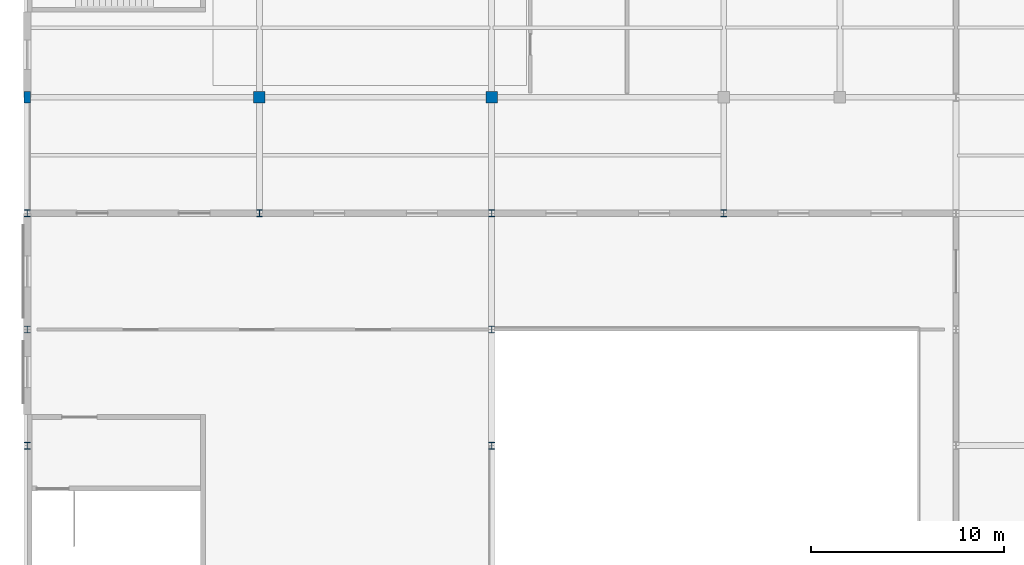
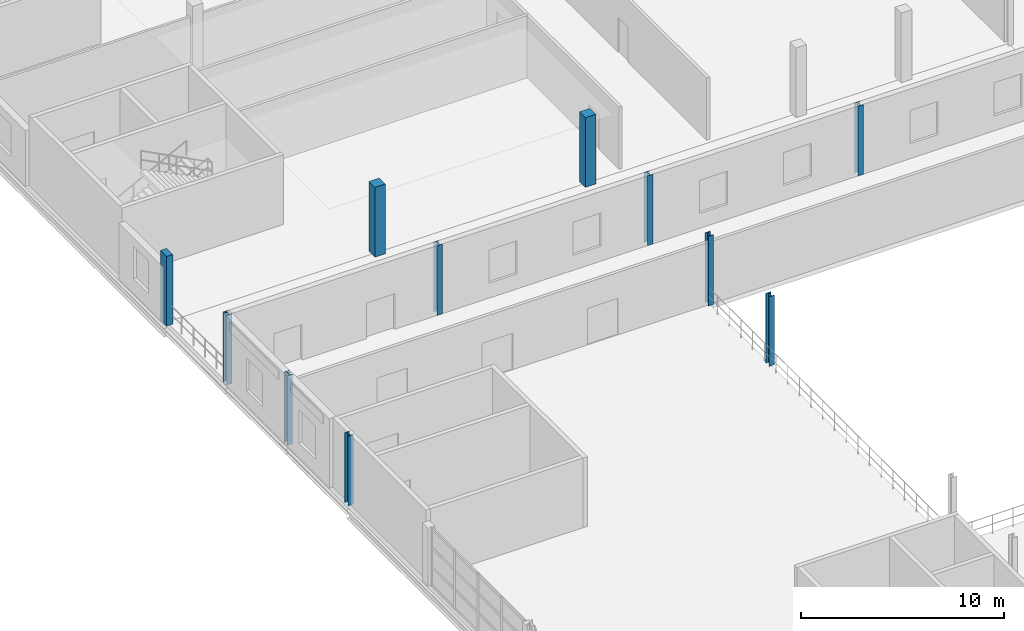
# One storey, part 8 of 147: 11 columns.
"""IFC4 building model written with IfcOpenShell, lengths in metres."""

import ifcopenshell
import ifcopenshell.guid

model = None  # the IFC model being written
_history = None  # IfcOwnerHistory: only IFC2X3 demands one
_inside = {}  # id of a spatial element -> (the spatial element, [elements in it])
_under = {}  # id of a project, library or spatial element -> (it, [spatial elements below it])
_declared = {}  # id of a project -> (the project, [libraries it declares])
_typed = {}  # id of a type object -> (the type object, [elements of that type])
_made_of = {}  # id of a material, layer set ... -> (it, [elements and type objects made of it])


def new_model(schema):
    """Start an empty IFC model of exactly this schema.

    Asked for "IFC4X3", IfcOpenShell would pick the latest addendum, in which some entities
    have other attributes; the version numbers below select the first issue.
    IFC2X3 requires an IfcOwnerHistory on every rooted entity: one is made here for all.
    """
    global model, _history
    if schema == "IFC4X3":
        model = ifcopenshell.file(schema_version=(4, 3, 0, 0))
    else:
        model = ifcopenshell.file(schema=schema)
    _inside.clear()
    _under.clear()
    _declared.clear()
    _typed.clear()
    _made_of.clear()
    _history = None
    if model.schema == "IFC2X3":
        org = make("IfcOrganization", Name="unknown")
        user = make(
            "IfcPersonAndOrganization",
            ThePerson=make("IfcPerson", FamilyName="unknown"),
            TheOrganization=org,
        )
        app = make(
            "IfcApplication",
            ApplicationDeveloper=org,
            Version="unknown",
            ApplicationFullName="unknown",
            ApplicationIdentifier="unknown",
        )
        _history = make(
            "IfcOwnerHistory",
            OwningUser=user,
            OwningApplication=app,
            ChangeAction="ADDED",
            CreationDate=0,
        )
    return model


def make(cls, **values):
    """One entity of the class cls with the attributes given. An attribute that is None is left unset."""
    return model.create_entity(
        cls, **{name: value for name, value in values.items() if value is not None}
    )


def rooted(cls, **values):
    """An entity with a GlobalId (a new one), such as an element, a storey or a relation."""
    return make(cls, GlobalId=ifcopenshell.guid.new(), OwnerHistory=_history, **values)


def si_unit(unit_type, name, prefix=None):
    """IfcSIUnit, for example si_unit("LENGTHUNIT", "METRE", prefix="MILLI")."""
    return make("IfcSIUnit", UnitType=unit_type, Prefix=prefix, Name=name)


def assignment(units):
    """IfcUnitAssignment: the units of a project."""
    return None if units is None else make("IfcUnitAssignment", Units=units)


def point(xyz):
    """IfcCartesianPoint."""
    return None if xyz is None else make("IfcCartesianPoint", Coordinates=xyz)


def direction(xyz):
    """IfcDirection."""
    return None if xyz is None else make("IfcDirection", DirectionRatios=xyz)


def frame(location, z_axis=None, x_axis=None):
    """IfcAxis2Placement3D, a coordinate frame: its origin and axes. An axis left out is left unset."""
    return make(
        "IfcAxis2Placement3D",
        Location=point(location),
        Axis=direction(z_axis),
        RefDirection=direction(x_axis),
    )


def frame_2d(location, x_axis=None):
    """IfcAxis2Placement2D, a coordinate frame in the plane: its origin and x axis."""
    return make(
        "IfcAxis2Placement2D", Location=point(location), RefDirection=direction(x_axis)
    )


def origin():
    """The frame at (0, 0, 0) with its axes left unset."""
    return frame((0.0, 0.0, 0.0))


def origin_2d():
    """The frame at (0, 0) in the plane with its x axis left unset."""
    return frame_2d((0.0, 0.0))


def place(relative_to, where):
    """IfcLocalPlacement: puts the frame where relative to a parent placement (None: the world)."""
    return make(
        "IfcLocalPlacement", PlacementRelTo=relative_to, RelativePlacement=where
    )


def context(
    kind, dimensions, precision=None, world=None, true_north=None, identifier=None
):
    """IfcGeometricRepresentationContext, for example the 3D "Model" context."""
    return make(
        "IfcGeometricRepresentationContext",
        ContextIdentifier=identifier,
        ContextType=kind,
        CoordinateSpaceDimension=dimensions,
        Precision=precision,
        WorldCoordinateSystem=world,
        TrueNorth=true_north,
    )


def subcontext(parent, identifier, kind, view, scale=None):
    """IfcGeometricRepresentationSubContext, for example "Body" below "Model"."""
    return make(
        "IfcGeometricRepresentationSubContext",
        ContextIdentifier=identifier,
        ContextType=kind,
        ParentContext=parent,
        TargetScale=scale,
        TargetView=view,
    )


def project(units=None, contexts=None):
    """IfcProject with its units and contexts."""
    return rooted(
        "IfcProject",
        Name="project",
        RepresentationContexts=contexts,
        UnitsInContext=assignment(units),
    )


def spatial(cls, under=None, at=None, **own):
    """A site, building, storey or space (cls), placed at a placement, below another one or the project."""
    s = rooted(cls, ObjectPlacement=at, **own)
    if under is not None:
        _under.setdefault(under.id(), (under, []))[1].append(s)
    return s


def profile(cls, at=None, kind="AREA", **sizes):
    """A parametric profile (cls). Its sizes go by their IFC names, for example OverallWidth=200.0."""
    return make(cls, ProfileType=kind, Position=at, **sizes)


def rectangle(**sizes):
    """IfcRectangleProfileDef."""
    return profile("IfcRectangleProfileDef", **sizes)


def i_section(**sizes):
    """IfcIShapeProfileDef."""
    return profile("IfcIShapeProfileDef", **sizes)


def extrude(swept, where, along, depth):
    """IfcExtrudedAreaSolid: the profile swept, set in the frame where, extruded along a direction by depth."""
    return make(
        "IfcExtrudedAreaSolid",
        SweptArea=swept,
        Position=where,
        ExtrudedDirection=direction(along),
        Depth=depth,
    )


def shape(context_of_items, identifier, shape_type, items):
    """IfcShapeRepresentation: the items that make up one representation, for example the "Body"."""
    return make(
        "IfcShapeRepresentation",
        ContextOfItems=context_of_items,
        RepresentationIdentifier=identifier,
        RepresentationType=shape_type,
        Items=items,
    )


def material(Name=None, Category=None):
    """IfcMaterial."""
    return make("IfcMaterial", Name=Name, Category=Category)


def material_profile(
    of_material, cross_section, Name=None, Category=None, Priority=None
):
    """IfcMaterialProfile: a cross section and its material."""
    return make(
        "IfcMaterialProfile",
        Name=Name,
        Material=of_material,
        Profile=cross_section,
        Priority=Priority,
        Category=Category,
    )


def profile_set(profiles, Name=None, composite=None):
    """IfcMaterialProfileSet."""
    return make(
        "IfcMaterialProfileSet",
        Name=Name,
        MaterialProfiles=profiles,
        CompositeProfile=composite,
    )


def made_of(thing, what):
    """Note that an element or type object is made of a material, layer set ...; save() writes the relation."""
    if what is not None:
        _made_of.setdefault(what.id(), (what, []))[1].append(thing)
    return thing


def type_object(cls, material=None, **own):
    """A type object (cls), such as IfcWallType, which elements share."""
    return made_of(rooted(cls, **own), material)


def element(
    cls,
    number,
    at=None,
    inside=None,
    cuts=None,
    type_object=None,
    material=None,
    context=None,
    identifier="Body",
    shape_type=None,
    held_by="IfcProductDefinitionShape",
    body=None,
    shapes=None,
    **own,
):
    """One element of the class cls, such as IfcWall. Its Tag is "e" and its number.

    at: its placement. inside: the storey or other place that contains it. cuts: it is an
    opening in that element (IfcRelVoidsElement). A single representation is given by context,
    identifier, shape_type and body (its items); several are given by shapes. held_by: the class
    of the entity that holds the representations. save() writes the other relations.
    """
    e = rooted(cls, Tag="e%d" % number, ObjectPlacement=at, **own)
    if body is not None:
        shapes = [shape(context, identifier, shape_type, body)]
    if shapes is not None:
        e.Representation = make(held_by, Representations=shapes)
    if inside is not None:
        _inside.setdefault(inside.id(), (inside, []))[1].append(e)
    if cuts is not None:
        rooted(
            "IfcRelVoidsElement", RelatingBuildingElement=cuts, RelatedOpeningElement=e
        )
    if type_object is not None:
        _typed.setdefault(type_object.id(), (type_object, []))[1].append(e)
    return made_of(e, material)


def aggregate(whole, parts):
    """IfcRelAggregates: a whole, such as a stair, and the parts it consists of."""
    return rooted("IfcRelAggregates", RelatingObject=whole, RelatedObjects=parts)


def save(model, path):
    """Write the relations noted so far, then the file.

    IfcRelAggregates (storeys below a building ...), IfcRelContainedInSpatialStructure (elements
    in a storey), IfcRelDefinesByType, IfcRelAssociatesMaterial and IfcRelDeclares: one each for
    every whole, place, type object, material and project.
    """
    for whole, parts in _under.values():
        aggregate(whole, parts)
    for where, things in _inside.values():
        rooted(
            "IfcRelContainedInSpatialStructure",
            RelatedElements=things,
            RelatingStructure=where,
        )
    for kind, things in _typed.values():
        rooted("IfcRelDefinesByType", RelatedObjects=things, RelatingType=kind)
    for what, things in _made_of.values():
        rooted("IfcRelAssociatesMaterial", RelatedObjects=things, RelatingMaterial=what)
    for by, libraries in _declared.values():
        rooted("IfcRelDeclares", RelatingContext=by, RelatedDefinitions=libraries)
    model.write(path)


model = new_model("IFC4")

# Units and contexts
model_context = context("Model", 3, precision=1e-05, world=origin(), true_north=direction((0.0, 1.0)))
body_context = subcontext(model_context, "Body", "Model", "MODEL_VIEW")
ifc_project = project(units=[si_unit("LENGTHUNIT", "METRE"), si_unit("AREAUNIT", "SQUARE_METRE"), si_unit("VOLUMEUNIT", "CUBIC_METRE"), si_unit("PLANEANGLEUNIT", "RADIAN"), si_unit("MASSUNIT", "GRAM", prefix="KILO")], contexts=[model_context])

# Site, building, storey
site_placement = place(None, origin())
site = spatial("IfcSite", under=ifc_project, at=site_placement, CompositionType="ELEMENT")
building_placement = place(site_placement, origin())
building = spatial("IfcBuilding", under=site, at=building_placement, Name="Zilviju Railside Exhibition Hall", CompositionType="ELEMENT")
storey_placement = place(building_placement, frame((0.0, 0.0, 8.39990234375)))
storey = spatial("IfcBuildingStorey", under=building, at=storey_placement, Name="L03", CompositionType="ELEMENT", Elevation=8.39990234375)

# Columns
ifc_material_1 = material(Name="Concrete C35/45", Category="concrete")
ifc_material_profile_1 = material_profile(ifc_material_1, rectangle(XDim=0.60009765625, YDim=0.60009765625, at=origin_2d()), Name="RC COL 600x600")
ifc_profile_set_1 = profile_set([ifc_material_profile_1], Name="Concrete C35/45")
column_type_1 = type_object("IfcColumnType", Name="COL-RC-600", PredefinedType="COLUMN", material=ifc_profile_set_1)
for number, where, z_axis, x_axis, name in (
    (1, (12.0, 84.0, 0.0), (0.0, 0.0, 1.0), (1.0, 0.0, 0.0), "Structural Column L03 (12.0, 84.0)"),
    (2, (24.0, 84.0, 0.0), (0.0, 0.0, 1.0), (1.0, 0.0, 0.0), "Structural Column L03 (24.0, 84.0)"),
):
    element("IfcColumn", number, at=place(storey_placement, frame(where, z_axis=z_axis, x_axis=x_axis)), inside=storey, type_object=column_type_1, Name=name, PredefinedType="COLUMN", context=body_context, shape_type="SweptSolid", body=[
        extrude(rectangle(XDim=0.60009765625, YDim=0.60009765625, at=origin_2d()), origin(), (0.0, 0.0, 1.0), 4.2001953125),
    ])
ifc_material_2 = material(Name="Steel S355J2", Category="steel")
ifc_material_profile_2 = material_profile(ifc_material_2, i_section(OverallWidth=0.300048828125, OverallDepth=0.360107421875, WebThickness=0.012451171875, FlangeThickness=0.0224609375, at=origin_2d()), Name="HEB 360")
ifc_profile_set_2 = profile_set([ifc_material_profile_2], Name="Steel S355J2")
column_type_2 = type_object("IfcColumnType", Name="COL-ST-HEB360", PredefinedType="COLUMN", material=ifc_profile_set_2)
for number, where, z_axis, x_axis, name in (
    (3, (0.0, 66.0, 0.0), (0.0, 0.0, 1.0), (1.0, 0.0, 0.0), "Structural Column L03 (0.0, 66.0)"),
    (4, (24.0, 66.0, 0.0), (0.0, 0.0, 1.0), (1.0, 0.0, 0.0), "Structural Column L03 (24.0, 66.0)"),
    (5, (0.0, 72.0, 0.0), (0.0, 0.0, 1.0), (1.0, 0.0, 0.0), "Structural Column L03 (0.0, 72.0)"),
    (6, (24.0, 72.0, 0.0), (0.0, 0.0, 1.0), (1.0, 0.0, 0.0), "Structural Column L03 (24.0, 72.0)"),
    (7, (0.0, 78.0, 0.0), (0.0, 0.0, 1.0), (1.0, 0.0, 0.0), "Structural Column L03 (0.0, 78.0)"),
    (8, (12.0, 78.0, 0.0), (0.0, 0.0, 1.0), (1.0, 0.0, 0.0), "Structural Column L03 (12.0, 78.0)"),
    (9, (24.0, 78.0, 0.0), (0.0, 0.0, 1.0), (1.0, 0.0, 0.0), "Structural Column L03 (24.0, 78.0)"),
    (10, (36.0, 78.0, 0.0), (0.0, 0.0, 1.0), (1.0, 0.0, 0.0), "Structural Column L03 (36.0, 78.0)"),
):
    element("IfcColumn", number, at=place(storey_placement, frame(where, z_axis=z_axis, x_axis=x_axis)), inside=storey, type_object=column_type_2, Name=name, PredefinedType="COLUMN", context=body_context, shape_type="SweptSolid", body=[
        extrude(i_section(OverallWidth=0.300048828125, OverallDepth=0.360107421875, WebThickness=0.012451171875, FlangeThickness=0.0224609375, at=origin_2d()), origin(), (0.0, 0.0, 1.0), 4.2001953125),
    ])
ifc_material_profile_3 = material_profile(ifc_material_1, rectangle(XDim=0.35009765625, YDim=0.60009765625, at=origin_2d()), Name="RC COL 350x600")
ifc_profile_set_3 = profile_set([ifc_material_profile_3], Name="Concrete C35/45")
column_type_3 = type_object("IfcColumnType", Name="PIL-RC-600x350", PredefinedType="PILASTER", material=ifc_profile_set_3)
column_placement = place(storey_placement, frame((0.0, 84.0, 0.0), z_axis=(0.0, 0.0, 1.0), x_axis=(1.0, 0.0, 0.0)))
element("IfcColumn", 11, at=column_placement, inside=storey, type_object=column_type_3, Name="Structural Column L03 (0.0, 84.0)", PredefinedType="PILASTER", context=body_context, shape_type="SweptSolid", body=[
    extrude(rectangle(XDim=0.35009765625, YDim=0.60009765625, at=origin_2d()), origin(), (0.0, 0.0, 1.0), 4.2001953125),
])

save(model, "model.ifc")
